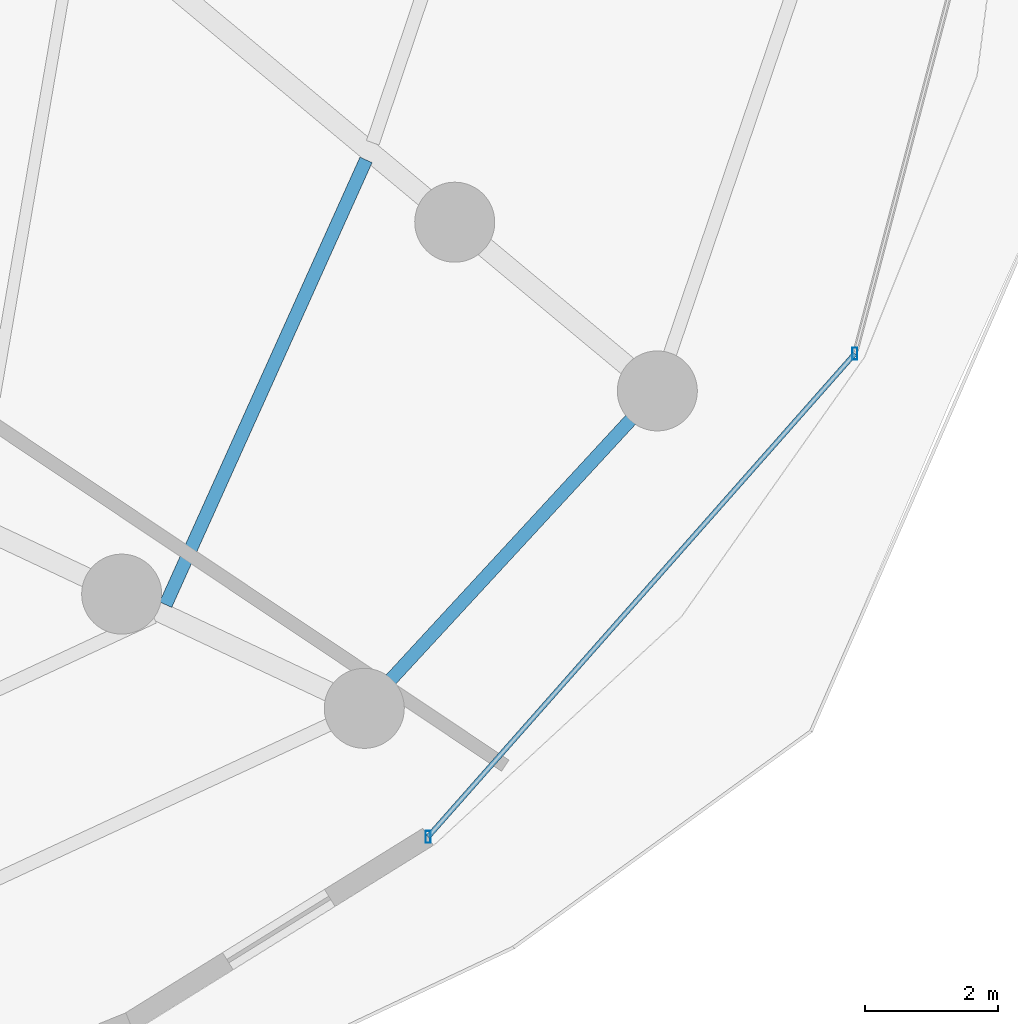
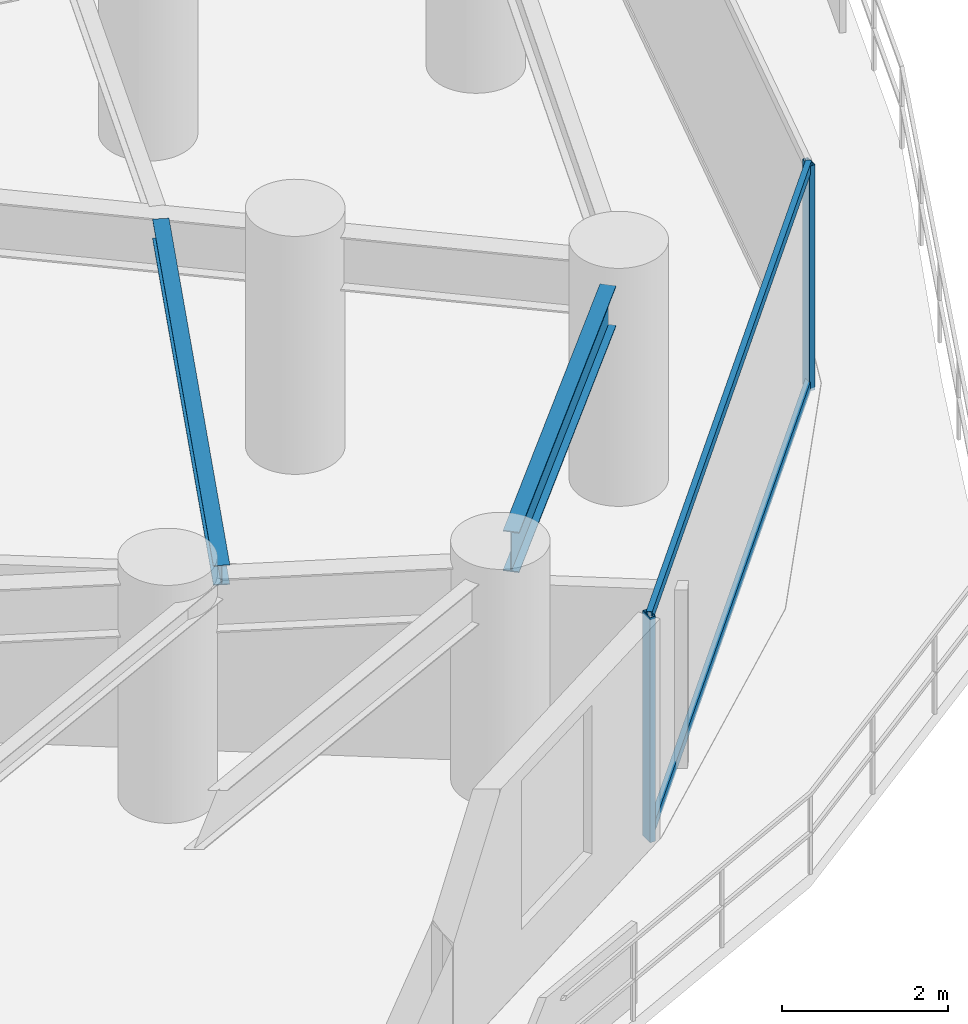
# One storey, part 14 of 34: 4 members, 2 beams, 1 element without a shape of its own.
"""IFC4 building model written with IfcOpenShell, lengths in metres."""

from ifc_helpers import new_model, si_unit, direction, frame, origin, origin_2d, place, context, subcontext, project, spatial, hollow_rectangle, i_section, extrude, material, material_profile, profile_set, type_object, element, aggregate, save


model = new_model("IFC4")

# Units and contexts
model_context = context("Model", 3, precision=1e-05, world=origin(), true_north=direction((0.0, 1.0)))
body_context = subcontext(model_context, "Body", "Model", "MODEL_VIEW")
ifc_project = project(units=[si_unit("LENGTHUNIT", "METRE"), si_unit("AREAUNIT", "SQUARE_METRE"), si_unit("VOLUMEUNIT", "CUBIC_METRE"), si_unit("PLANEANGLEUNIT", "RADIAN"), si_unit("MASSUNIT", "GRAM", prefix="KILO")], contexts=[model_context])

# Site, building, storey
site_placement = place(None, origin())
site = spatial("IfcSite", under=ifc_project, at=site_placement, CompositionType="ELEMENT")
building_placement = place(site_placement, origin())
building = spatial("IfcBuilding", under=site, at=building_placement, Name="Vorneva Point Tower", CompositionType="ELEMENT")
storey_placement = place(building_placement, frame((0.0, 0.0, 62.5)))
storey = spatial("IfcBuildingStorey", under=building, at=storey_placement, Name="L16", CompositionType="ELEMENT", Elevation=62.5)

# Beams
ifc_material_1 = material(Name="Steel S355", Category="steel")
ifc_material_profile_1 = material_profile(ifc_material_1, i_section(OverallWidth=0.199951171875, OverallDepth=0.291015625, WebThickness=0.008056640625, FlangeThickness=0.010986328125, at=origin_2d()), Name="30Sh1")
ifc_profile_set_1 = profile_set([ifc_material_profile_1], Name="Steel S355")
beam_type_1 = type_object("IfcBeamType", Name="BM-SEC-30Sh1", PredefinedType="BEAM", material=ifc_profile_set_1)
beam_1_placement = place(storey_placement, frame((54.958740234375, 13.6796875, 3.094482421875), z_axis=(0.410729425831, 0.911757280616, 0.0), x_axis=(-0.911757280616, 0.410729425831, 0.0)))
element("IfcBeam", 1, at=beam_1_placement, inside=storey, type_object=beam_type_1, Name="L16 Secondary Floor Beam 1.15", PredefinedType="BEAM", context=body_context, shape_type="SweptSolid", body=[
    extrude(i_section(OverallWidth=0.199951171875, OverallDepth=0.291015625, WebThickness=0.008056640625, FlangeThickness=0.010986328125, at=origin_2d()), origin(), (0.0, 0.0, 1.0), 7.31884765625),
])
ifc_material_profile_2 = material_profile(ifc_material_1, i_section(OverallWidth=0.198974609375, OverallDepth=0.595947265625, WebThickness=0.010009765625, FlangeThickness=0.014892578125, at=origin_2d()), Name="60B1")
ifc_profile_set_2 = profile_set([ifc_material_profile_2], Name="Steel S355")
beam_type_2 = type_object("IfcBeamType", Name="BM-SPN-60B1", PredefinedType="SPANDREL", material=ifc_profile_set_2)
beam_2_placement = place(storey_placement, frame((58.33544921875, 12.553955078125, 2.94189453125), z_axis=(0.678272466193, 0.734810493668, 0.0), x_axis=(-0.734810493668, 0.678272466193, 0.0)))
element("IfcBeam", 2, at=beam_2_placement, inside=storey, type_object=beam_type_2, Name="L16 Perimeter Spandrel Ring Beam 15", PredefinedType="SPANDREL", context=body_context, shape_type="SweptSolid", body=[
    extrude(i_section(OverallWidth=0.198974609375, OverallDepth=0.595947265625, WebThickness=0.010009765625, FlangeThickness=0.014892578125, at=origin_2d()), origin(), (0.0, 0.0, 1.0), 5.311279296875),
])

# Curtain wall, members
ifc_material_2 = material(Name="Pale anodised aluminium", Category="aluminium")
curtain_wall_type = type_object("IfcCurtainWallType", Name="CW-HTL-SYS", PredefinedType="NOTDEFINED", material=ifc_material_2)
curtain_wall_placement = place(storey_placement, origin())
curtain_wall = element("IfcCurtainWall", 3, at=curtain_wall_placement, inside=storey, type_object=curtain_wall_type, Name="L16 Unitised Curtain Wall CW-L16-R01", PredefinedType="NOTDEFINED")
ifc_material_profile_3 = material_profile(ifc_material_2, hollow_rectangle(XDim=0.074951171875, YDim=0.179931640625, WallThickness=0.00390625, at=origin_2d()), Name="AL-MUL 180x75x4")
ifc_profile_set_3 = profile_set([ifc_material_profile_3], Name="Pale anodised aluminium")
member_type_1 = type_object("IfcMemberType", Name="CW-MUL-180", PredefinedType="MULLION", material=ifc_profile_set_3)
member_1_placement = place(storey_placement, frame((58.89501953125, 10.1962890625, -0.0400390625), z_axis=(0.0, 0.0, 1.0), x_axis=(1.0, 0.0, 0.0)))
member_1 = element("IfcMember", 4, at=member_1_placement, type_object=member_type_1, Name="CW-L16-R01 Mullion 01", PredefinedType="MULLION", context=body_context, shape_type="SweptSolid", body=[
    extrude(hollow_rectangle(XDim=0.074951171875, YDim=0.179931640625, WallThickness=0.00390625, at=origin_2d()), origin(), (0.0, 0.0, 1.0), 3.31005859375),
])
member_2_placement = place(storey_placement, frame((65.300537109375, 17.447021484375, -0.0400390625), z_axis=(0.0, 0.0, 1.0), x_axis=(1.0, 0.0, 0.0)))
member_2 = element("IfcMember", 5, at=member_2_placement, type_object=member_type_1, Name="CW-L16-R01 Mullion 02", PredefinedType="MULLION", context=body_context, shape_type="SweptSolid", body=[
    extrude(hollow_rectangle(XDim=0.074951171875, YDim=0.179931640625, WallThickness=0.00390625, at=origin_2d()), origin(), (0.0, 0.0, 1.0), 3.31005859375),
])
ifc_material_profile_4 = material_profile(ifc_material_2, hollow_rectangle(XDim=0.074951171875, YDim=0.14990234375, WallThickness=0.00390625, at=origin_2d()), Name="AL-TRN 150x75x4")
ifc_profile_set_4 = profile_set([ifc_material_profile_4], Name="Pale anodised aluminium")
member_type_2 = type_object("IfcMemberType", Name="CW-TRN-150", PredefinedType="USERDEFINED", material=ifc_profile_set_4)
member_3_placement = place(storey_placement, frame((58.89501953125, 10.1962890625, 0.02001953125), z_axis=(0.662075539029, 0.749437109182, 0.0), x_axis=(-0.749437109182, 0.662075539029, 0.0)))
member_3 = element("IfcMember", 6, at=member_3_placement, type_object=member_type_2, Name="CW-L16-R01 Transom 01.1", ObjectType="TRANSOM", PredefinedType="USERDEFINED", context=body_context, shape_type="SweptSolid", body=[
    extrude(hollow_rectangle(XDim=0.074951171875, YDim=0.14990234375, WallThickness=0.00390625, at=origin_2d()), origin(), (0.0, 0.0, 1.0), 9.6748046875),
])
member_4_placement = place(storey_placement, frame((58.89501953125, 10.1962890625, 3.219970703125), z_axis=(0.662075539029, 0.749437109182, 0.0), x_axis=(-0.749437109182, 0.662075539029, 0.0)))
member_4 = element("IfcMember", 7, at=member_4_placement, type_object=member_type_2, Name="CW-L16-R01 Transom 01.2", ObjectType="TRANSOM", PredefinedType="USERDEFINED", context=body_context, shape_type="SweptSolid", body=[
    extrude(hollow_rectangle(XDim=0.074951171875, YDim=0.14990234375, WallThickness=0.00390625, at=origin_2d()), origin(), (0.0, 0.0, 1.0), 9.6748046875),
])
aggregate(curtain_wall, [member_1, member_2, member_3, member_4])

save(model, "model.ifc")
